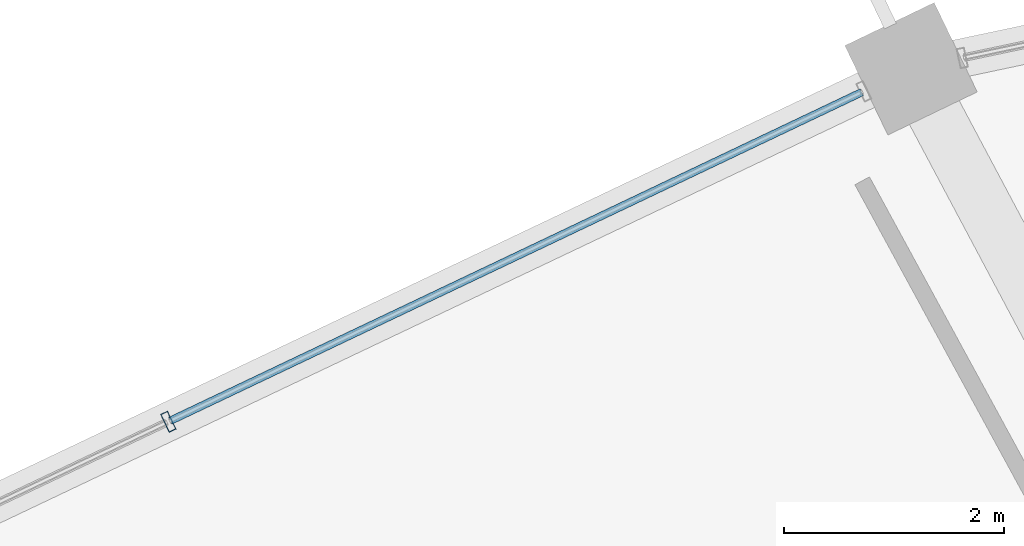
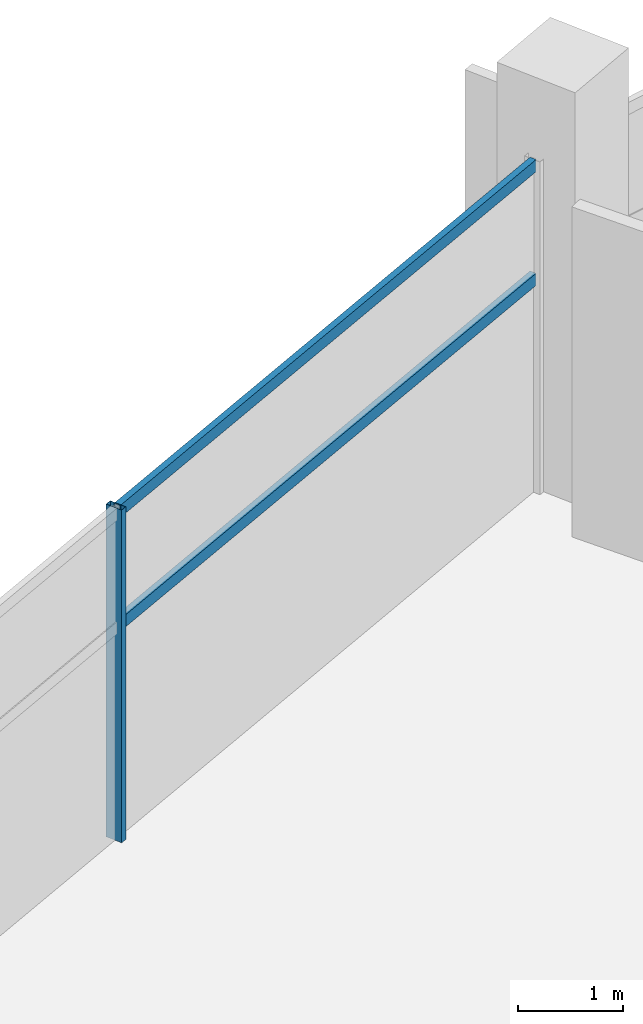
# One storey, part 74 of 156: 3 members, 1 element without a shape of its own.
"""IFC4 building model written with IfcOpenShell, lengths in metres."""

from ifc_helpers import new_model, si_unit, direction, frame, origin, origin_2d, place, context, subcontext, project, spatial, hollow_rectangle, extrude, material, layer, layer_set, material_profile, profile_set, type_object, element, aggregate, save


model = new_model("IFC4")

# Units and contexts
model_context = context("Model", 3, precision=1e-05, world=origin(), true_north=direction((0.0, 1.0)))
body_context = subcontext(model_context, "Body", "Model", "MODEL_VIEW")
ifc_project = project(units=[si_unit("LENGTHUNIT", "METRE"), si_unit("AREAUNIT", "SQUARE_METRE"), si_unit("VOLUMEUNIT", "CUBIC_METRE"), si_unit("PLANEANGLEUNIT", "RADIAN"), si_unit("MASSUNIT", "GRAM", prefix="KILO")], contexts=[model_context])

# Site, building, storey
site_placement = place(None, origin())
site = spatial("IfcSite", under=ifc_project, at=site_placement, CompositionType="ELEMENT")
building_placement = place(site_placement, origin())
building = spatial("IfcBuilding", under=site, at=building_placement, Name="Kazemori Nagisa Stadium", CompositionType="ELEMENT")
storey_placement = place(building_placement, frame((0.0, 0.0, 5.780029296875)))
storey = spatial("IfcBuildingStorey", under=building, at=storey_placement, Name="L01", CompositionType="ELEMENT", Elevation=5.780029296875)

# Curtain wall, members
ifc_material_1 = material(Name="Anodised aluminium 6063-T5", Category="aluminium")
ifc_layer = layer(ifc_material_1, 0.179931640625, Name="Anodised aluminium 6063-T5", Category="aluminium")
ifc_layer_set = layer_set([ifc_layer], Name="Anodised aluminium 6063-T5")
curtain_wall_type = type_object("IfcCurtainWallType", Name="CW_L01R3_105", PredefinedType="USERDEFINED", material=ifc_layer_set)
curtain_wall_placement = place(storey_placement, origin())
curtain_wall = element("IfcCurtainWall", 1, at=curtain_wall_placement, inside=storey, type_object=curtain_wall_type, Name="Unitised curtain wall CW-L01R3-105 L01", ObjectType="UNITISED CURTAIN WALL", PredefinedType="USERDEFINED")
ifc_material_2 = material(Name="Aluminium 6063-T5 anodised", Category="aluminium")
ifc_material_profile_1 = material_profile(ifc_material_2, hollow_rectangle(XDim=0.070068359375, YDim=0.179931640625, WallThickness=0.00390625, at=origin_2d()), Name="ALU-MULL-70x180x4")
ifc_profile_set_1 = profile_set([ifc_material_profile_1], Name="Aluminium 6063-T5 anodised")
member_type_1 = type_object("IfcMemberType", Name="Mullion_M01", PredefinedType="MULLION", material=ifc_profile_set_1)
member_1_placement = place(storey_placement, frame((73.45458984375, 179.26123046875, 0.0), z_axis=(0.0, 0.0, 1.0), x_axis=(-0.903215892654, -0.429186499388, 0.0)))
member_1 = element("IfcMember", 2, at=member_1_placement, type_object=member_type_1, Name="Curtain wall mullion CW-L01R3-105-M2", PredefinedType="MULLION", context=body_context, shape_type="SweptSolid", body=[
    extrude(hollow_rectangle(XDim=0.070068359375, YDim=0.179931640625, WallThickness=0.00390625, at=origin_2d()), origin(), (0.0, 0.0, 1.0), 3.849853515625),
])
ifc_material_profile_2 = material_profile(ifc_material_2, hollow_rectangle(XDim=0.070068359375, YDim=0.139892578125, WallThickness=0.00390625, at=origin_2d()), Name="ALU-TRAN-70x140x4")
ifc_profile_set_2 = profile_set([ifc_material_profile_2], Name="Aluminium 6063-T5 anodised")
member_type_2 = type_object("IfcMemberType", Name="Transom_T01", PredefinedType="USERDEFINED", material=ifc_profile_set_2)
member_2_placement = place(storey_placement, frame((79.748291015625, 182.251708984375, 2.4638671875), z_axis=(-0.903221322461, -0.429175072264, 0.0), x_axis=(0.429175072264, -0.903221322461, 0.0)))
member_2 = element("IfcMember", 3, at=member_2_placement, type_object=member_type_2, Name="Curtain wall transom CW-L01R3-105-T1-mid", ObjectType="TRANSOM", PredefinedType="USERDEFINED", context=body_context, shape_type="SweptSolid", body=[
    extrude(hollow_rectangle(XDim=0.070068359375, YDim=0.139892578125, WallThickness=0.00390625, at=origin_2d()), origin(), (0.0, 0.0, 1.0), 6.947998046875),
])
member_3_placement = place(storey_placement, frame((79.748291015625, 182.251708984375, 3.780029296875), z_axis=(-0.903221322461, -0.429175072264, 0.0), x_axis=(0.429175072264, -0.903221322461, 0.0)))
member_3 = element("IfcMember", 4, at=member_3_placement, type_object=member_type_2, Name="Curtain wall transom CW-L01R3-105-T1-head", ObjectType="TRANSOM", PredefinedType="USERDEFINED", context=body_context, shape_type="SweptSolid", body=[
    extrude(hollow_rectangle(XDim=0.070068359375, YDim=0.139892578125, WallThickness=0.00390625, at=origin_2d()), origin(), (0.0, 0.0, 1.0), 6.947998046875),
])
aggregate(curtain_wall, [member_1, member_2, member_3])

save(model, "model.ifc")
